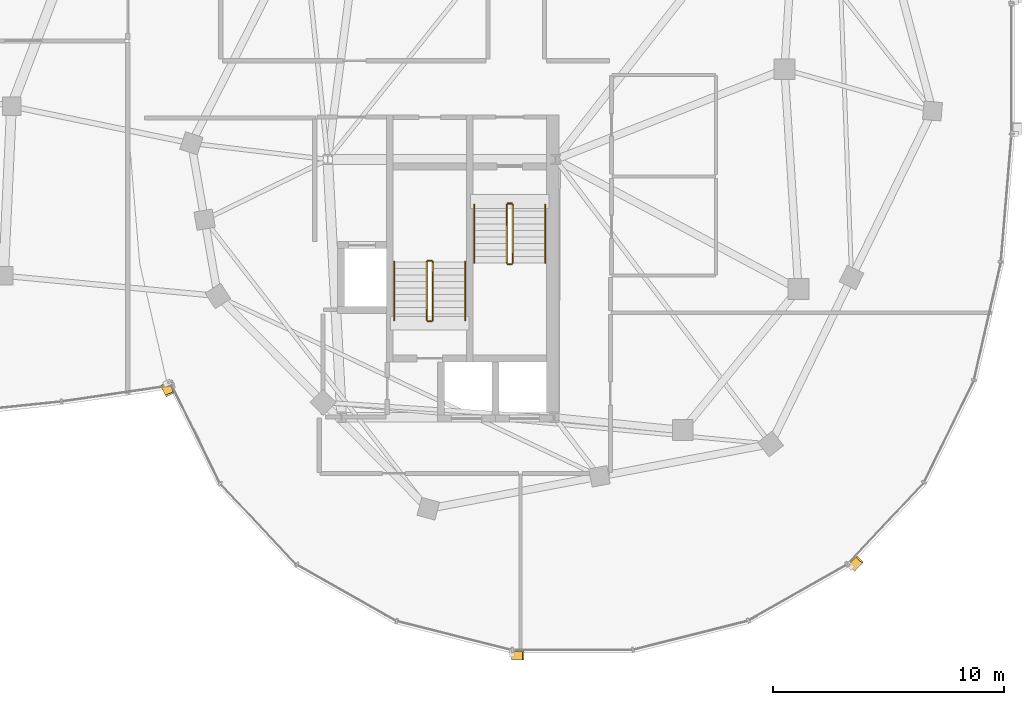
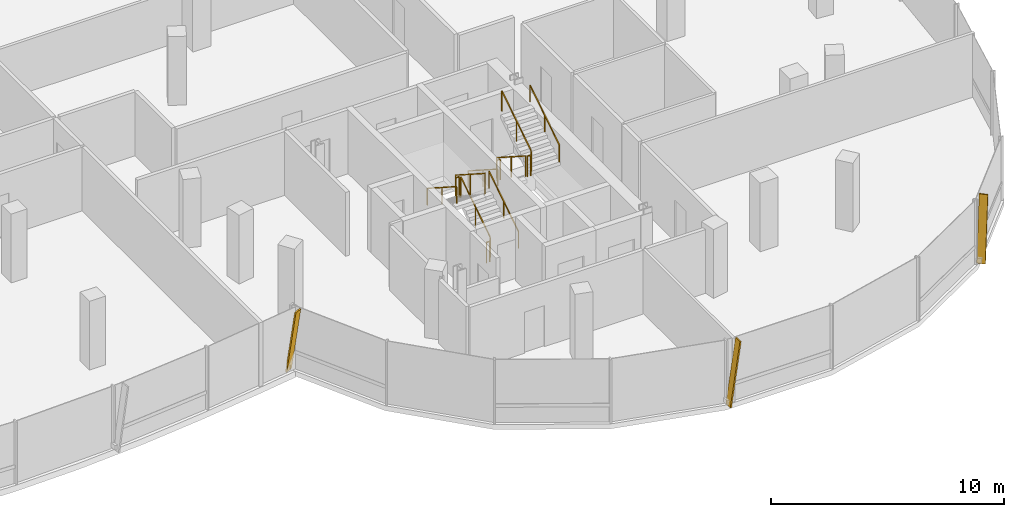
# One storey, part 24 of 25: 12 railings, 3 shading devices.
"""IFC4 building model written with IfcOpenShell, lengths in metres."""

from ifc_helpers import new_model, si_unit, direction, frame, origin, origin_2d, place, context, subcontext, project, spatial, rectangle, extrude, material, material_profile, profile_set, type_object, element, save


model = new_model("IFC4")

# Units and contexts
model_context = context("Model", 3, precision=1e-05, world=origin(), true_north=direction((0.0, 1.0)))
body_context = subcontext(model_context, "Body", "Model", "MODEL_VIEW")
ifc_project = project(units=[si_unit("LENGTHUNIT", "METRE"), si_unit("AREAUNIT", "SQUARE_METRE"), si_unit("VOLUMEUNIT", "CUBIC_METRE"), si_unit("PLANEANGLEUNIT", "RADIAN"), si_unit("MASSUNIT", "GRAM", prefix="KILO"), si_unit("THERMODYNAMICTEMPERATUREUNIT", "KELVIN"), si_unit("POWERUNIT", "WATT")], contexts=[model_context])

# Site, building, storey
site_placement = place(None, origin())
site = spatial("IfcSite", under=ifc_project, at=site_placement, CompositionType="ELEMENT")
building_placement = place(site_placement, origin())
building = spatial("IfcBuilding", under=site, at=building_placement, Name="Cundina Bronze Exchange", CompositionType="ELEMENT")
storey_placement = place(building_placement, frame((0.0, 0.0, 254.0)))
storey = spatial("IfcBuildingStorey", under=building, at=storey_placement, Name="L67", CompositionType="ELEMENT", Elevation=254.0)

# Railings
ifc_material_1 = material(Name="Steel ASTM A36 Painted", Category="steel")
railing_type_1 = type_object("IfcRailingType", Name="RLG-HND-900", PredefinedType="HANDRAIL", material=ifc_material_1)
railing_1_placement = place(storey_placement, frame((27.7900390625, -5.85009765625, 0.179931640625)))
element("IfcRailing", 1, at=railing_1_placement, inside=storey, type_object=railing_type_1, Name="L67 ST-E1 stair handrail 1", PredefinedType="HANDRAIL", context=body_context, shape_type="SweptSolid", body=[
    extrude(rectangle(XDim=0.048095703125, YDim=0.048095703125, at=origin_2d()), frame((0.0, 0.0, 0.8759765625), z_axis=(0.0, -0.841162588446, 0.540782303519), x_axis=(1.0, 0.0, 0.0)), (0.0, 0.0, 1.0), 2.995849609375),
    extrude(rectangle(XDim=0.0419921875, YDim=0.0419921875, at=origin_2d()), origin(), (0.0, 0.0, 1.0), 0.851806640625),
    extrude(rectangle(XDim=0.0419921875, YDim=0.0419921875, at=origin_2d()), frame((0.0, -1.260009765625, 0.81005859375)), (0.0, 0.0, 1.0), 0.851806640625),
    extrude(rectangle(XDim=0.0419921875, YDim=0.0419921875, at=origin_2d()), frame((0.0, -2.52001953125, 1.6201171875)), (0.0, 0.0, 1.0), 0.851806640625),
])
for number, where, name in (
    (2, (30.85009765625, -8.3701171875, 1.97998046875), "L67 ST-E1 stair handrail 2"),
    (3, (27.389892578125, -10.85009765625, 0.179931640625), "L67 ST-E2 stair handrail 1"),
):
    element("IfcRailing", number, at=place(storey_placement, frame(where)), inside=storey, type_object=railing_type_1, Name=name, PredefinedType="HANDRAIL", context=body_context, shape_type="SweptSolid", body=[
        extrude(rectangle(XDim=0.048095703125, YDim=0.048095703125, at=origin_2d()), frame((0.0, 0.0, 0.8759765625), z_axis=(0.0, 0.841162588446, 0.540782303519), x_axis=(-1.0, 0.0, 0.0)), (0.0, 0.0, 1.0), 2.995849609375),
        extrude(rectangle(XDim=0.0419921875, YDim=0.0419921875, at=origin_2d()), origin(), (0.0, 0.0, 1.0), 0.851806640625),
        extrude(rectangle(XDim=0.0419921875, YDim=0.0419921875, at=origin_2d()), frame((0.0, 1.260009765625, 0.81005859375)), (0.0, 0.0, 1.0), 0.851806640625),
        extrude(rectangle(XDim=0.0419921875, YDim=0.0419921875, at=origin_2d()), frame((0.0, 2.52001953125, 1.6201171875)), (0.0, 0.0, 1.0), 0.851806640625),
    ])
railing_2_placement = place(storey_placement, frame((24.330078125, -8.330078125, 1.97998046875)))
element("IfcRailing", 4, at=railing_2_placement, inside=storey, type_object=railing_type_1, Name="L67 ST-E2 stair handrail 2", PredefinedType="HANDRAIL", context=body_context, shape_type="SweptSolid", body=[
    extrude(rectangle(XDim=0.048095703125, YDim=0.048095703125, at=origin_2d()), frame((0.0, 0.0, 0.8759765625), z_axis=(0.0, -0.841162588446, 0.540782303519), x_axis=(1.0, 0.0, 0.0)), (0.0, 0.0, 1.0), 2.995849609375),
    extrude(rectangle(XDim=0.0419921875, YDim=0.0419921875, at=origin_2d()), origin(), (0.0, 0.0, 1.0), 0.851806640625),
    extrude(rectangle(XDim=0.0419921875, YDim=0.0419921875, at=origin_2d()), frame((0.0, -1.260009765625, 0.81005859375)), (0.0, 0.0, 1.0), 0.851806640625),
    extrude(rectangle(XDim=0.0419921875, YDim=0.0419921875, at=origin_2d()), frame((0.0, -2.52001953125, 1.6201171875)), (0.0, 0.0, 1.0), 0.851806640625),
])
railing_type_2 = type_object("IfcRailingType", Name="RLG-STG-1100", PredefinedType="GUARDRAIL", material=ifc_material_1)
railing_3_placement = place(storey_placement, frame((29.18994140625, -5.85009765625, 0.179931640625)))
element("IfcRailing", 5, at=railing_3_placement, inside=storey, type_object=railing_type_2, Name="L67 ST-E1 stair guard 1", PredefinedType="GUARDRAIL", context=body_context, shape_type="SweptSolid", body=[
    extrude(rectangle(XDim=0.048095703125, YDim=0.048095703125, at=origin_2d()), frame((0.0, 0.0, 1.076171875), z_axis=(0.0, -0.841162588446, 0.540782303519), x_axis=(1.0, 0.0, 0.0)), (0.0, 0.0, 1.0), 2.995849609375),
    extrude(rectangle(XDim=0.0419921875, YDim=0.0419921875, at=origin_2d()), origin(), (0.0, 0.0, 1.0), 1.052001953125),
    extrude(rectangle(XDim=0.0419921875, YDim=0.0419921875, at=origin_2d()), frame((0.0, -1.260009765625, 0.81005859375)), (0.0, 0.0, 1.0), 1.052001953125),
    extrude(rectangle(XDim=0.0419921875, YDim=0.0419921875, at=origin_2d()), frame((0.0, -2.52001953125, 1.6201171875)), (0.0, 0.0, 1.0), 1.052001953125),
])
railing_4_placement = place(storey_placement, frame((29.239990234375, -8.419921875, 1.800048828125)))
element("IfcRailing", 6, at=railing_4_placement, inside=storey, type_object=railing_type_2, Name="L67 ST-E1 stair guard 2", PredefinedType="GUARDRAIL", context=body_context, shape_type="SweptSolid", body=[
    extrude(rectangle(XDim=0.048095703125, YDim=0.048095703125, at=origin_2d()), frame((0.0, 0.0, 1.076171875), z_axis=(1.0, 0.0, 0.0), x_axis=(0.0, 1.0, 0.0)), (0.0, 0.0, 1.0), 0.159912109375),
    extrude(rectangle(XDim=0.0419921875, YDim=0.0419921875, at=origin_2d()), origin(), (0.0, 0.0, 1.0), 1.052001953125),
    extrude(rectangle(XDim=0.0419921875, YDim=0.0419921875, at=origin_2d()), frame((0.159912109375, 0.0, 0.0)), (0.0, 0.0, 1.0), 1.052001953125),
])
railing_5_placement = place(storey_placement, frame((29.449951171875, -8.3701171875, 1.97998046875)))
element("IfcRailing", 7, at=railing_5_placement, inside=storey, type_object=railing_type_2, Name="L67 ST-E1 stair guard 3", PredefinedType="GUARDRAIL", context=body_context, shape_type="SweptSolid", body=[
    extrude(rectangle(XDim=0.048095703125, YDim=0.048095703125, at=origin_2d()), frame((0.0, 0.0, 1.076171875), z_axis=(0.0, 0.841162588446, 0.540782303519), x_axis=(-1.0, 0.0, 0.0)), (0.0, 0.0, 1.0), 2.995849609375),
    extrude(rectangle(XDim=0.0419921875, YDim=0.0419921875, at=origin_2d()), origin(), (0.0, 0.0, 1.0), 1.052001953125),
    extrude(rectangle(XDim=0.0419921875, YDim=0.0419921875, at=origin_2d()), frame((0.0, 1.260009765625, 0.81005859375)), (0.0, 0.0, 1.0), 1.052001953125),
    extrude(rectangle(XDim=0.0419921875, YDim=0.0419921875, at=origin_2d()), frame((0.0, 2.52001953125, 1.6201171875)), (0.0, 0.0, 1.0), 1.052001953125),
])
railing_6_placement = place(storey_placement, frame((29.239990234375, -5.800048828125, 0.0)))
element("IfcRailing", 8, at=railing_6_placement, inside=storey, type_object=railing_type_2, Name="L67 ST-E1 stair guard 4", PredefinedType="GUARDRAIL", context=body_context, shape_type="SweptSolid", body=[
    extrude(rectangle(XDim=0.048095703125, YDim=0.048095703125, at=origin_2d()), frame((0.0, 0.0, 1.076171875), z_axis=(1.0, 0.0, 0.0), x_axis=(0.0, 1.0, 0.0)), (0.0, 0.0, 1.0), 0.159912109375),
    extrude(rectangle(XDim=0.0419921875, YDim=0.0419921875, at=origin_2d()), origin(), (0.0, 0.0, 1.0), 1.052001953125),
    extrude(rectangle(XDim=0.0419921875, YDim=0.0419921875, at=origin_2d()), frame((0.159912109375, 0.0, 0.0)), (0.0, 0.0, 1.0), 1.052001953125),
])
railing_7_placement = place(storey_placement, frame((25.989990234375, -10.85009765625, 0.179931640625)))
element("IfcRailing", 9, at=railing_7_placement, inside=storey, type_object=railing_type_2, Name="L67 ST-E2 stair guard 1", PredefinedType="GUARDRAIL", context=body_context, shape_type="SweptSolid", body=[
    extrude(rectangle(XDim=0.048095703125, YDim=0.048095703125, at=origin_2d()), frame((0.0, 0.0, 1.076171875), z_axis=(0.0, 0.841162588446, 0.540782303519), x_axis=(-1.0, 0.0, 0.0)), (0.0, 0.0, 1.0), 2.995849609375),
    extrude(rectangle(XDim=0.0419921875, YDim=0.0419921875, at=origin_2d()), origin(), (0.0, 0.0, 1.0), 1.052001953125),
    extrude(rectangle(XDim=0.0419921875, YDim=0.0419921875, at=origin_2d()), frame((0.0, 1.260009765625, 0.81005859375)), (0.0, 0.0, 1.0), 1.052001953125),
    extrude(rectangle(XDim=0.0419921875, YDim=0.0419921875, at=origin_2d()), frame((0.0, 2.52001953125, 1.6201171875)), (0.0, 0.0, 1.0), 1.052001953125),
])
railing_8_placement = place(storey_placement, frame((25.93994140625, -8.280029296875, 1.800048828125)))
element("IfcRailing", 10, at=railing_8_placement, inside=storey, type_object=railing_type_2, Name="L67 ST-E2 stair guard 2", PredefinedType="GUARDRAIL", context=body_context, shape_type="SweptSolid", body=[
    extrude(rectangle(XDim=0.048095703125, YDim=0.048095703125, at=origin_2d()), frame((0.0, 0.0, 1.076171875), z_axis=(-1.0, 0.0, 0.0), x_axis=(0.0, -1.0, 0.0)), (0.0, 0.0, 1.0), 0.159912109375),
    extrude(rectangle(XDim=0.0419921875, YDim=0.0419921875, at=origin_2d()), origin(), (0.0, 0.0, 1.0), 1.052001953125),
    extrude(rectangle(XDim=0.0419921875, YDim=0.0419921875, at=origin_2d()), frame((-0.159912109375, 0.0, 0.0)), (0.0, 0.0, 1.0), 1.052001953125),
])
railing_9_placement = place(storey_placement, frame((25.72998046875, -8.330078125, 1.97998046875)))
element("IfcRailing", 11, at=railing_9_placement, inside=storey, type_object=railing_type_2, Name="L67 ST-E2 stair guard 3", PredefinedType="GUARDRAIL", context=body_context, shape_type="SweptSolid", body=[
    extrude(rectangle(XDim=0.048095703125, YDim=0.048095703125, at=origin_2d()), frame((0.0, 0.0, 1.076171875), z_axis=(0.0, -0.841162588446, 0.540782303519), x_axis=(1.0, 0.0, 0.0)), (0.0, 0.0, 1.0), 2.995849609375),
    extrude(rectangle(XDim=0.0419921875, YDim=0.0419921875, at=origin_2d()), origin(), (0.0, 0.0, 1.0), 1.052001953125),
    extrude(rectangle(XDim=0.0419921875, YDim=0.0419921875, at=origin_2d()), frame((0.0, -1.260009765625, 0.81005859375)), (0.0, 0.0, 1.0), 1.052001953125),
    extrude(rectangle(XDim=0.0419921875, YDim=0.0419921875, at=origin_2d()), frame((0.0, -2.52001953125, 1.6201171875)), (0.0, 0.0, 1.0), 1.052001953125),
])
railing_10_placement = place(storey_placement, frame((25.93994140625, -10.89990234375, 0.0)))
element("IfcRailing", 12, at=railing_10_placement, inside=storey, type_object=railing_type_2, Name="L67 ST-E2 stair guard 4", PredefinedType="GUARDRAIL", context=body_context, shape_type="SweptSolid", body=[
    extrude(rectangle(XDim=0.048095703125, YDim=0.048095703125, at=origin_2d()), frame((0.0, 0.0, 1.076171875), z_axis=(-1.0, 0.0, 0.0), x_axis=(0.0, -1.0, 0.0)), (0.0, 0.0, 1.0), 0.159912109375),
    extrude(rectangle(XDim=0.0419921875, YDim=0.0419921875, at=origin_2d()), origin(), (0.0, 0.0, 1.0), 1.052001953125),
    extrude(rectangle(XDim=0.0419921875, YDim=0.0419921875, at=origin_2d()), frame((-0.159912109375, 0.0, 0.0)), (0.0, 0.0, 1.0), 1.052001953125),
])

# Shading devices
ifc_material_2 = material(Name="Anodised Bronze Aluminium 6063-T6", Category="aluminium")
ifc_material_profile = material_profile(ifc_material_2, rectangle(XDim=0.070068359375, YDim=0.3798828125, at=origin_2d()), Name="FIN70X380", Category="aluminium")
ifc_profile_set = profile_set([ifc_material_profile], Name="Anodised Bronze Aluminium 6063-T6")
shading_device_type = type_object("IfcShadingDeviceType", Name="SHD-FIN-BRZ380", PredefinedType="USERDEFINED", material=ifc_profile_set)
for number, where, z_axis, x_axis, name in (
    (13, (14.406494140625, -13.614013671875, 0.02001953125), (0.063400368732, -0.129216686851, 0.989587510574), (-0.435900311632, 0.888411143223, 0.143932480407), "L67 Diagonal Bronze Solar Fin 1"),
    (14, (29.423583984375, -25.360107421875, 0.02001953125), (0.143932024572, 0.0, 0.989587576874), (-0.989587576874, 0.0, 0.143932024572), "L67 Diagonal Bronze Solar Fin 5"),
    (15, (44.122314453125, -21.55078125, 0.02001953125), (0.098541444371, 0.10491076507, 0.989587446926), (-0.677505727677, -0.721296959704, 0.143932918008), "L67 Diagonal Bronze Solar Fin 1"),
):
    element("IfcShadingDevice", number, at=place(storey_placement, frame(where, z_axis=z_axis, x_axis=x_axis)), inside=storey, type_object=shading_device_type, Name=name, ObjectType="FIN", PredefinedType="USERDEFINED", context=body_context, shape_type="SweptSolid", body=[
        extrude(rectangle(XDim=0.070068359375, YDim=0.3798828125, at=origin_2d()), origin(), (0.0, 0.0, 1.0), 3.334716796875),
    ])

save(model, "model.ifc")
